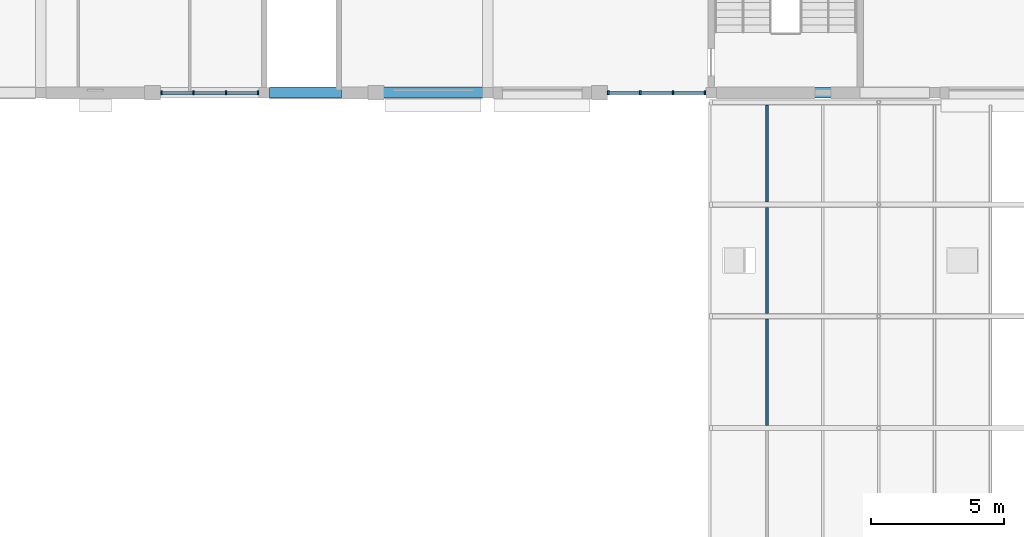
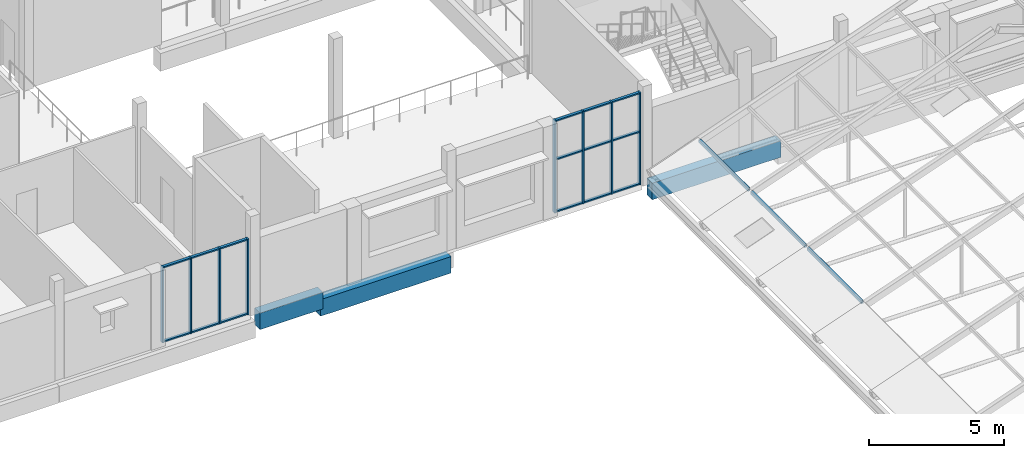
# One storey, part 63 of 116: 26 members, 3 beams, 2 elements without a shape of their own.
"""IFC4 building model written with IfcOpenShell, lengths in metres."""

from ifc_helpers import new_model, si_unit, direction, frame, origin, origin_2d, place, context, subcontext, project, spatial, rectangle, hollow_rectangle, extrude, material, material_profile, profile_set, type_object, element, aggregate, save


model = new_model("IFC4")

# Units and contexts
model_context = context("Model", 3, precision=1e-05, world=origin(), true_north=direction((0.0, 1.0)))
body_context = subcontext(model_context, "Body", "Model", "MODEL_VIEW")
ifc_project = project(units=[si_unit("LENGTHUNIT", "METRE"), si_unit("AREAUNIT", "SQUARE_METRE"), si_unit("VOLUMEUNIT", "CUBIC_METRE"), si_unit("PLANEANGLEUNIT", "RADIAN"), si_unit("MASSUNIT", "GRAM", prefix="KILO")], contexts=[model_context])

# Site, building, storey
site_placement = place(None, origin())
site = spatial("IfcSite", under=ifc_project, at=site_placement, CompositionType="ELEMENT")
building_placement = place(site_placement, origin())
building = spatial("IfcBuilding", under=site, at=building_placement, Name="Fescue Hill Polytechnic", CompositionType="ELEMENT")
storey_placement = place(building_placement, frame((0.0, 0.0, 13.5)))
storey = spatial("IfcBuildingStorey", under=building, at=storey_placement, Name="L03", CompositionType="ELEMENT", Elevation=13.5)

# Beams
ifc_material_1 = material(Name="Concrete 35 MPa", Category="concrete")
ifc_material_profile_1 = material_profile(ifc_material_1, rectangle(XDim=0.39990234375, YDim=0.75, at=origin_2d()), Name="RC 400x750")
ifc_profile_set_1 = profile_set([ifc_material_profile_1], Name="Concrete 35 MPa")
beam_type = type_object("IfcBeamType", Name="Beam RC 400x750", PredefinedType="BEAM", material=ifc_profile_set_1)
beam_1_placement = place(storey_placement, frame((78.39990234375, 109.199951171875, -0.675048828125), z_axis=(1.0, 0.0, 0.0), x_axis=(0.0, 1.0, 0.0)))
element("IfcBeam", 1, at=beam_1_placement, inside=storey, type_object=beam_type, Name="BM-L03-0095", PredefinedType="BEAM", context=body_context, shape_type="SweptSolid", body=[
    extrude(rectangle(XDim=0.39990234375, YDim=0.75, at=origin_2d()), origin(), (0.0, 0.0, 1.0), 5.590087890625),
])
beam_2_placement = place(storey_placement, frame((75.800048828125, 109.199951171875, -0.375), z_axis=(1.0, 0.0, 0.0), x_axis=(0.0, 1.0, 0.0)))
element("IfcBeam", 2, at=beam_2_placement, inside=storey, type_object=beam_type, Name="BM-L03-0137", PredefinedType="BEAM", context=body_context, shape_type="SweptSolid", body=[
    extrude(rectangle(XDim=0.39990234375, YDim=0.75, at=origin_2d()), origin(), (0.0, 0.0, 1.0), 2.699951171875),
])
beam_3_placement = place(storey_placement, frame((92.60009765625, 109.199951171875, -0.375), z_axis=(1.0, 0.0, 0.0), x_axis=(0.0, 1.0, 0.0)))
element("IfcBeam", 3, at=beam_3_placement, inside=storey, type_object=beam_type, Name="BM-L03-0139", PredefinedType="BEAM", context=body_context, shape_type="SweptSolid", body=[
    extrude(rectangle(XDim=0.39990234375, YDim=0.75, at=origin_2d()), origin(), (0.0, 0.0, 1.0), 5.52490234375),
])

# Curtain wall, members
ifc_material_2 = material(Name="Glass", Category="glass")
curtain_wall_type = type_object("IfcCurtainWallType", Name="Curtain wall structural glazing", PredefinedType="NOTDEFINED", material=ifc_material_2)
curtain_wall_1_placement = place(storey_placement, origin())
curtain_wall_1 = element("IfcCurtainWall", 4, at=curtain_wall_1_placement, inside=storey, type_object=curtain_wall_type, Name="CW-L03-V4b-X2", PredefinedType="NOTDEFINED")
ifc_material_3 = material(Name="Powder-coated aluminium", Category="aluminium")
ifc_material_profile_2 = material_profile(ifc_material_3, rectangle(XDim=0.159912109375, YDim=0.06005859375, at=origin_2d()), Name="Mullion aluminium 60x160")
ifc_profile_set_2 = profile_set([ifc_material_profile_2], Name="Powder-coated aluminium")
member_type_1 = type_object("IfcMemberType", Name="Mullion aluminium 60x160", PredefinedType="MULLION", material=ifc_profile_set_2)
member_1_placement = place(storey_placement, frame((88.530029296875, 109.199951171875, 0.0), z_axis=(0.0, 0.0, 1.0), x_axis=(0.0, 1.0, 0.0)))
member_1 = element("IfcMember", 5, at=member_1_placement, type_object=member_type_1, Name="CW171 mullion 1", PredefinedType="MULLION", context=body_context, shape_type="SweptSolid", body=[
    extrude(rectangle(XDim=0.159912109375, YDim=0.06005859375, at=origin_2d()), origin(), (0.0, 0.0, 1.0), 4.179931640625),
])
member_2_placement = place(storey_placement, frame((89.7333984375, 109.199951171875, 0.0), z_axis=(0.0, 0.0, 1.0), x_axis=(0.0, 1.0, 0.0)))
member_2 = element("IfcMember", 6, at=member_2_placement, type_object=member_type_1, Name="CW171 mullion 2", PredefinedType="MULLION", context=body_context, shape_type="SweptSolid", body=[
    extrude(rectangle(XDim=0.159912109375, YDim=0.06005859375, at=origin_2d()), origin(), (0.0, 0.0, 1.0), 4.179931640625),
])
member_3_placement = place(storey_placement, frame((90.966552734375, 109.199951171875, 0.0), z_axis=(0.0, 0.0, 1.0), x_axis=(0.0, 1.0, 0.0)))
member_3 = element("IfcMember", 7, at=member_3_placement, type_object=member_type_1, Name="CW171 mullion 3", PredefinedType="MULLION", context=body_context, shape_type="SweptSolid", body=[
    extrude(rectangle(XDim=0.159912109375, YDim=0.06005859375, at=origin_2d()), origin(), (0.0, 0.0, 1.0), 4.179931640625),
])
member_4_placement = place(storey_placement, frame((92.169921875, 109.199951171875, 0.0), z_axis=(0.0, 0.0, 1.0), x_axis=(0.0, 1.0, 0.0)))
member_4 = element("IfcMember", 8, at=member_4_placement, type_object=member_type_1, Name="CW171 mullion 4", PredefinedType="MULLION", context=body_context, shape_type="SweptSolid", body=[
    extrude(rectangle(XDim=0.159912109375, YDim=0.06005859375, at=origin_2d()), origin(), (0.0, 0.0, 1.0), 4.179931640625),
])

curtain_wall_2_placement = place(storey_placement, origin())
curtain_wall_2 = element("IfcCurtainWall", 9, at=curtain_wall_2_placement, inside=storey, type_object=curtain_wall_type, Name="CW-L03-V4b-X4", PredefinedType="NOTDEFINED")
member_5_placement = place(storey_placement, frame((71.72998046875, 109.199951171875, 0.0), z_axis=(0.0, 0.0, 1.0), x_axis=(0.0, 1.0, 0.0)))
member_5 = element("IfcMember", 10, at=member_5_placement, type_object=member_type_1, Name="CW177 mullion 1", PredefinedType="MULLION", context=body_context, shape_type="SweptSolid", body=[
    extrude(rectangle(XDim=0.159912109375, YDim=0.06005859375, at=origin_2d()), origin(), (0.0, 0.0, 1.0), 3.429931640625),
])
member_6_placement = place(storey_placement, frame((72.933349609375, 109.199951171875, 0.0), z_axis=(0.0, 0.0, 1.0), x_axis=(0.0, 1.0, 0.0)))
member_6 = element("IfcMember", 11, at=member_6_placement, type_object=member_type_1, Name="CW177 mullion 2", PredefinedType="MULLION", context=body_context, shape_type="SweptSolid", body=[
    extrude(rectangle(XDim=0.159912109375, YDim=0.06005859375, at=origin_2d()), origin(), (0.0, 0.0, 1.0), 3.429931640625),
])
member_7_placement = place(storey_placement, frame((74.166748046875, 109.199951171875, 0.0), z_axis=(0.0, 0.0, 1.0), x_axis=(0.0, 1.0, 0.0)))
member_7 = element("IfcMember", 12, at=member_7_placement, type_object=member_type_1, Name="CW177 mullion 3", PredefinedType="MULLION", context=body_context, shape_type="SweptSolid", body=[
    extrude(rectangle(XDim=0.159912109375, YDim=0.06005859375, at=origin_2d()), origin(), (0.0, 0.0, 1.0), 3.429931640625),
])
member_8_placement = place(storey_placement, frame((75.3701171875, 109.199951171875, 0.0), z_axis=(0.0, 0.0, 1.0), x_axis=(0.0, 1.0, 0.0)))
member_8 = element("IfcMember", 13, at=member_8_placement, type_object=member_type_1, Name="CW177 mullion 4", PredefinedType="MULLION", context=body_context, shape_type="SweptSolid", body=[
    extrude(rectangle(XDim=0.159912109375, YDim=0.06005859375, at=origin_2d()), origin(), (0.0, 0.0, 1.0), 3.429931640625),
])

# Member
ifc_material_profile_3 = material_profile(ifc_material_3, rectangle(XDim=0.1201171875, YDim=0.06005859375, at=origin_2d()), Name="Transom aluminium 60x120")
ifc_profile_set_3 = profile_set([ifc_material_profile_3], Name="Powder-coated aluminium")
member_type_2 = type_object("IfcMemberType", Name="Transom aluminium 60x120", PredefinedType="USERDEFINED", material=ifc_profile_set_3)
member_9_placement = place(storey_placement, frame((88.56005859375, 109.199951171875, 0.030029296875), z_axis=(1.0, 0.0, 0.0), x_axis=(0.0, 1.0, 0.0)))
member_9 = element("IfcMember", 14, at=member_9_placement, type_object=member_type_2, Name="CW171 transom 1.1", ObjectType="TRANSOM", PredefinedType="USERDEFINED", context=body_context, shape_type="SweptSolid", body=[
    extrude(rectangle(XDim=0.1201171875, YDim=0.06005859375, at=origin_2d()), origin(), (0.0, 0.0, 1.0), 1.143310546875),
])

member_10_placement = place(storey_placement, frame((88.56005859375, 109.199951171875, 2.39990234375), z_axis=(1.0, 0.0, 0.0), x_axis=(0.0, 1.0, 0.0)))
member_10 = element("IfcMember", 15, at=member_10_placement, type_object=member_type_2, Name="CW171 transom 1.2", ObjectType="TRANSOM", PredefinedType="USERDEFINED", context=body_context, shape_type="SweptSolid", body=[
    extrude(rectangle(XDim=0.1201171875, YDim=0.06005859375, at=origin_2d()), origin(), (0.0, 0.0, 1.0), 1.143310546875),
])

member_11_placement = place(storey_placement, frame((88.56005859375, 109.199951171875, 4.14990234375), z_axis=(1.0, 0.0, 0.0), x_axis=(0.0, 1.0, 0.0)))
member_11 = element("IfcMember", 16, at=member_11_placement, type_object=member_type_2, Name="CW171 transom 1.3", ObjectType="TRANSOM", PredefinedType="USERDEFINED", context=body_context, shape_type="SweptSolid", body=[
    extrude(rectangle(XDim=0.1201171875, YDim=0.06005859375, at=origin_2d()), origin(), (0.0, 0.0, 1.0), 1.143310546875),
])

member_12_placement = place(storey_placement, frame((89.763427734375, 109.199951171875, 0.030029296875), z_axis=(1.0, 0.0, 0.0), x_axis=(0.0, 1.0, 0.0)))
member_12 = element("IfcMember", 17, at=member_12_placement, type_object=member_type_2, Name="CW171 transom 2.1", ObjectType="TRANSOM", PredefinedType="USERDEFINED", context=body_context, shape_type="SweptSolid", body=[
    extrude(rectangle(XDim=0.1201171875, YDim=0.06005859375, at=origin_2d()), origin(), (0.0, 0.0, 1.0), 1.17333984375),
])

member_13_placement = place(storey_placement, frame((89.763427734375, 109.199951171875, 2.39990234375), z_axis=(1.0, 0.0, 0.0), x_axis=(0.0, 1.0, 0.0)))
member_13 = element("IfcMember", 18, at=member_13_placement, type_object=member_type_2, Name="CW171 transom 2.2", ObjectType="TRANSOM", PredefinedType="USERDEFINED", context=body_context, shape_type="SweptSolid", body=[
    extrude(rectangle(XDim=0.1201171875, YDim=0.06005859375, at=origin_2d()), origin(), (0.0, 0.0, 1.0), 1.17333984375),
])

member_14_placement = place(storey_placement, frame((89.763427734375, 109.199951171875, 4.14990234375), z_axis=(1.0, 0.0, 0.0), x_axis=(0.0, 1.0, 0.0)))
member_14 = element("IfcMember", 19, at=member_14_placement, type_object=member_type_2, Name="CW171 transom 2.3", ObjectType="TRANSOM", PredefinedType="USERDEFINED", context=body_context, shape_type="SweptSolid", body=[
    extrude(rectangle(XDim=0.1201171875, YDim=0.06005859375, at=origin_2d()), origin(), (0.0, 0.0, 1.0), 1.17333984375),
])

member_15_placement = place(storey_placement, frame((90.99658203125, 109.199951171875, 0.030029296875), z_axis=(1.0, 0.0, 0.0), x_axis=(0.0, 1.0, 0.0)))
member_15 = element("IfcMember", 20, at=member_15_placement, type_object=member_type_2, Name="CW171 transom 3.1", ObjectType="TRANSOM", PredefinedType="USERDEFINED", context=body_context, shape_type="SweptSolid", body=[
    extrude(rectangle(XDim=0.1201171875, YDim=0.06005859375, at=origin_2d()), origin(), (0.0, 0.0, 1.0), 1.143310546875),
])

member_16_placement = place(storey_placement, frame((90.99658203125, 109.199951171875, 2.39990234375), z_axis=(1.0, 0.0, 0.0), x_axis=(0.0, 1.0, 0.0)))
member_16 = element("IfcMember", 21, at=member_16_placement, type_object=member_type_2, Name="CW171 transom 3.2", ObjectType="TRANSOM", PredefinedType="USERDEFINED", context=body_context, shape_type="SweptSolid", body=[
    extrude(rectangle(XDim=0.1201171875, YDim=0.06005859375, at=origin_2d()), origin(), (0.0, 0.0, 1.0), 1.143310546875),
])

member_17_placement = place(storey_placement, frame((90.99658203125, 109.199951171875, 4.14990234375), z_axis=(1.0, 0.0, 0.0), x_axis=(0.0, 1.0, 0.0)))
member_17 = element("IfcMember", 22, at=member_17_placement, type_object=member_type_2, Name="CW171 transom 3.3", ObjectType="TRANSOM", PredefinedType="USERDEFINED", context=body_context, shape_type="SweptSolid", body=[
    extrude(rectangle(XDim=0.1201171875, YDim=0.06005859375, at=origin_2d()), origin(), (0.0, 0.0, 1.0), 1.143310546875),
])

aggregate(curtain_wall_1, [member_1, member_2, member_3, member_4, member_9, member_10, member_11, member_12, member_13, member_14, member_15, member_16, member_17])

member_18_placement = place(storey_placement, frame((71.760009765625, 109.199951171875, 0.030029296875), z_axis=(1.0, 0.0, 0.0), x_axis=(0.0, 1.0, 0.0)))
member_18 = element("IfcMember", 23, at=member_18_placement, type_object=member_type_2, Name="CW177 transom 1.1", ObjectType="TRANSOM", PredefinedType="USERDEFINED", context=body_context, shape_type="SweptSolid", body=[
    extrude(rectangle(XDim=0.1201171875, YDim=0.06005859375, at=origin_2d()), origin(), (0.0, 0.0, 1.0), 1.143310546875),
])

member_19_placement = place(storey_placement, frame((71.760009765625, 109.199951171875, 3.39990234375), z_axis=(1.0, 0.0, 0.0), x_axis=(0.0, 1.0, 0.0)))
member_19 = element("IfcMember", 24, at=member_19_placement, type_object=member_type_2, Name="CW177 transom 1.2", ObjectType="TRANSOM", PredefinedType="USERDEFINED", context=body_context, shape_type="SweptSolid", body=[
    extrude(rectangle(XDim=0.1201171875, YDim=0.06005859375, at=origin_2d()), origin(), (0.0, 0.0, 1.0), 1.143310546875),
])

member_20_placement = place(storey_placement, frame((72.96337890625, 109.199951171875, 0.030029296875), z_axis=(1.0, 0.0, 0.0), x_axis=(0.0, 1.0, 0.0)))
member_20 = element("IfcMember", 25, at=member_20_placement, type_object=member_type_2, Name="CW177 transom 2.1", ObjectType="TRANSOM", PredefinedType="USERDEFINED", context=body_context, shape_type="SweptSolid", body=[
    extrude(rectangle(XDim=0.1201171875, YDim=0.06005859375, at=origin_2d()), origin(), (0.0, 0.0, 1.0), 1.17333984375),
])

member_21_placement = place(storey_placement, frame((72.96337890625, 109.199951171875, 3.39990234375), z_axis=(1.0, 0.0, 0.0), x_axis=(0.0, 1.0, 0.0)))
member_21 = element("IfcMember", 26, at=member_21_placement, type_object=member_type_2, Name="CW177 transom 2.2", ObjectType="TRANSOM", PredefinedType="USERDEFINED", context=body_context, shape_type="SweptSolid", body=[
    extrude(rectangle(XDim=0.1201171875, YDim=0.06005859375, at=origin_2d()), origin(), (0.0, 0.0, 1.0), 1.17333984375),
])

member_22_placement = place(storey_placement, frame((74.19677734375, 109.199951171875, 0.030029296875), z_axis=(1.0, 0.0, 0.0), x_axis=(0.0, 1.0, 0.0)))
member_22 = element("IfcMember", 27, at=member_22_placement, type_object=member_type_2, Name="CW177 transom 3.1", ObjectType="TRANSOM", PredefinedType="USERDEFINED", context=body_context, shape_type="SweptSolid", body=[
    extrude(rectangle(XDim=0.1201171875, YDim=0.06005859375, at=origin_2d()), origin(), (0.0, 0.0, 1.0), 1.143310546875),
])

member_23_placement = place(storey_placement, frame((74.19677734375, 109.199951171875, 3.39990234375), z_axis=(1.0, 0.0, 0.0), x_axis=(0.0, 1.0, 0.0)))
member_23 = element("IfcMember", 28, at=member_23_placement, type_object=member_type_2, Name="CW177 transom 3.2", ObjectType="TRANSOM", PredefinedType="USERDEFINED", context=body_context, shape_type="SweptSolid", body=[
    extrude(rectangle(XDim=0.1201171875, YDim=0.06005859375, at=origin_2d()), origin(), (0.0, 0.0, 1.0), 1.143310546875),
])

aggregate(curtain_wall_2, [member_5, member_6, member_7, member_8, member_18, member_19, member_20, member_21, member_22, member_23])

# Members
ifc_material_4 = material(Name="Steel 350W (350 MPa)", Category="steel")
ifc_material_profile_4 = material_profile(ifc_material_4, hollow_rectangle(XDim=0.1015625, YDim=0.15234375, WallThickness=0.00634765625, InnerFilletRadius=0.00634765625, OuterFilletRadius=0.0126953125, at=origin_2d()), Name="Winter garden glazing purlin HSS 152x102x6.4")
ifc_profile_set_4 = profile_set([ifc_material_profile_4], Name="Steel 350W (350 MPa)")
member_type_3 = type_object("IfcMemberType", Name="Winter garden glazing purlin HSS 152x102x6.4", PredefinedType="PURLIN", material=ifc_profile_set_4)
for number, where, z_axis, x_axis, name in (
    (29, (94.5, 96.70166015625, 1.41455078125), (0.0, 1.0, 0.0), (-1.0, 0.0, 0.0), "Winter garden glazing purlin W1 bay 12"),
    (30, (94.5, 100.901611328125, 1.41455078125), (0.0, 1.0, 0.0), (-1.0, 0.0, 0.0), "Winter garden glazing purlin W1 bay 13"),
):
    element("IfcMember", number, at=place(storey_placement, frame(where, z_axis=z_axis, x_axis=x_axis)), inside=storey, type_object=member_type_3, Name=name, PredefinedType="PURLIN", context=body_context, shape_type="SweptSolid", body=[
        extrude(hollow_rectangle(XDim=0.1015625, YDim=0.15234375, WallThickness=0.00634765625, InnerFilletRadius=0.00634765625, OuterFilletRadius=0.0126953125, at=origin_2d()), origin(), (0.0, 0.0, 1.0), 3.996826171875),
    ])
member_24_placement = place(storey_placement, frame((94.5, 105.1015625, 1.41455078125), z_axis=(0.0, 1.0, 0.0), x_axis=(-1.0, 0.0, 0.0)))
element("IfcMember", 31, at=member_24_placement, inside=storey, type_object=member_type_3, Name="Winter garden glazing purlin W1 bay 14", PredefinedType="PURLIN", context=body_context, shape_type="SweptSolid", body=[
    extrude(hollow_rectangle(XDim=0.1015625, YDim=0.15234375, WallThickness=0.00634765625, InnerFilletRadius=0.00634765625, OuterFilletRadius=0.0126953125, at=origin_2d()), origin(), (0.0, 0.0, 1.0), 3.646728515625),
])

save(model, "model.ifc")
